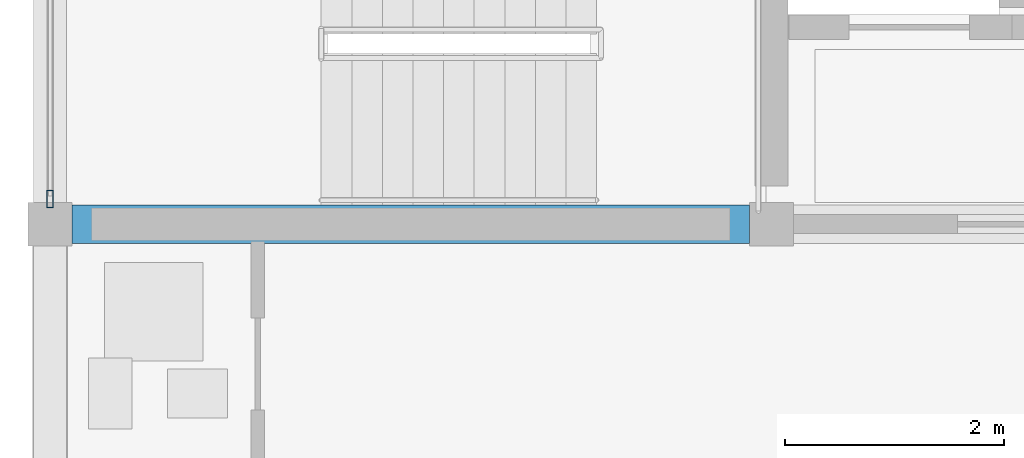
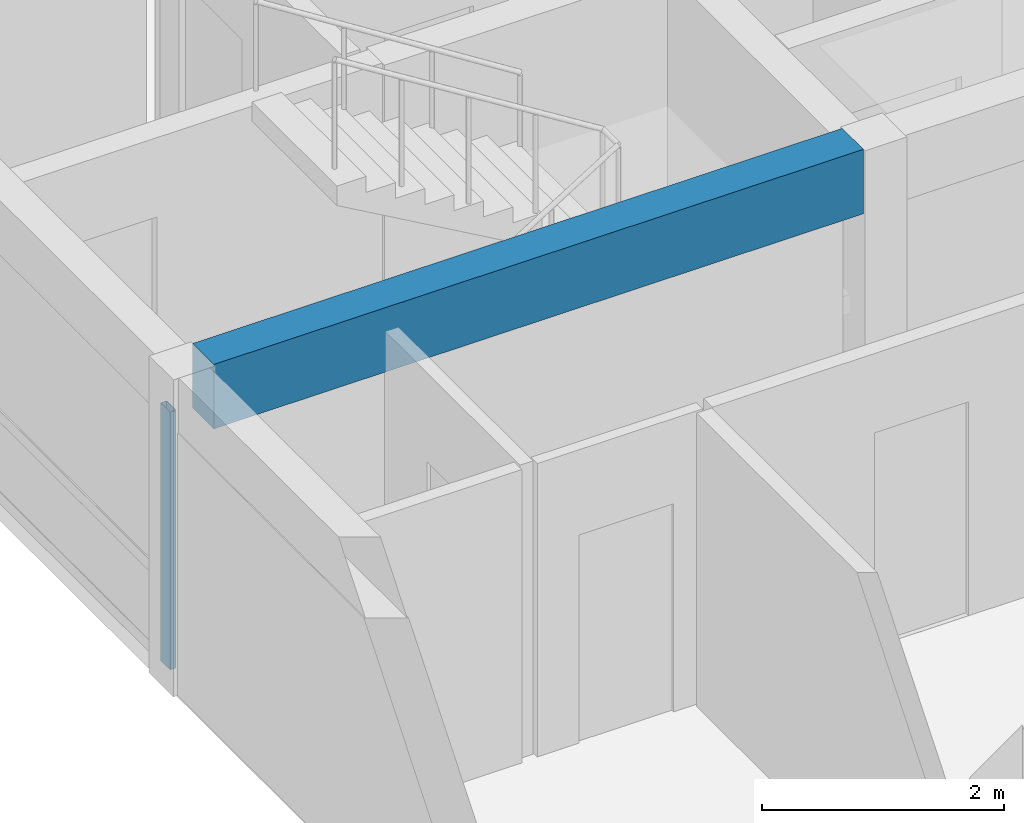
# One storey, part 4 of 53: 1 beam, 1 member, 1 element without a shape of its own.
"""IFC4 building model written with IfcOpenShell, lengths in metres."""

from ifc_helpers import new_model, si_unit, direction, frame, origin, origin_2d, place, context, subcontext, project, spatial, rectangle, hollow_rectangle, extrude, material, material_profile, profile_set, type_object, element, aggregate, save


model = new_model("IFC4")

# Units and contexts
model_context = context("Model", 3, precision=1e-05, world=origin(), true_north=direction((0.0, 1.0)))
body_context = subcontext(model_context, "Body", "Model", "MODEL_VIEW")
ifc_project = project(units=[si_unit("LENGTHUNIT", "METRE"), si_unit("AREAUNIT", "SQUARE_METRE"), si_unit("VOLUMEUNIT", "CUBIC_METRE"), si_unit("PLANEANGLEUNIT", "RADIAN"), si_unit("MASSUNIT", "GRAM", prefix="KILO")], contexts=[model_context])

# Site, building, storey
site_placement = place(None, origin())
site = spatial("IfcSite", under=ifc_project, at=site_placement, CompositionType="ELEMENT")
building_placement = place(site_placement, origin())
building = spatial("IfcBuilding", under=site, at=building_placement, Name="Kernevlak Ridge Housing Community", CompositionType="ELEMENT")
storey_placement = place(building_placement, frame((0.0, 0.0, 18.0)))
storey = spatial("IfcBuildingStorey", under=building, at=storey_placement, Name="L05", CompositionType="ELEMENT", Elevation=18.0)

# Beam
ifc_material_1 = material(Name="Concrete C35/45", Category="concrete")
ifc_material_profile_1 = material_profile(ifc_material_1, rectangle(XDim=0.35009765625, YDim=0.64990234375, at=origin_2d()), Name="RC 350x650")
ifc_profile_set_1 = profile_set([ifc_material_profile_1], Name="Concrete C35/45")
beam_type = type_object("IfcBeamType", Name="B-02", PredefinedType="BEAM", material=ifc_profile_set_1)
beam_placement = place(storey_placement, frame((15.800048828125, 22.199951171875, 2.875), z_axis=(1.0, 0.0, 0.0), x_axis=(0.0, 1.0, 0.0)))
element("IfcBeam", 1, at=beam_placement, inside=storey, type_object=beam_type, Name="Beam B-02 L05 1436", PredefinedType="BEAM", context=body_context, shape_type="SweptSolid", body=[
    extrude(rectangle(XDim=0.35009765625, YDim=0.64990234375, at=origin_2d()), origin(), (0.0, 0.0, 1.0), 6.199951171875),
])

# Curtain wall, member
ifc_material_2 = material(Name="Aluminium EN AW-6060 anodised and laminated glass", Category="aluminium")
curtain_wall_type = type_object("IfcCurtainWallType", Name="CW-10", PredefinedType="NOTDEFINED", material=ifc_material_2)
curtain_wall_placement = place(storey_placement, origin())
curtain_wall = element("IfcCurtainWall", 2, at=curtain_wall_placement, inside=storey, type_object=curtain_wall_type, Name="Curtain wall CW-10 CW-L05-154", PredefinedType="NOTDEFINED")
ifc_material_3 = material(Name="Aluminium EN AW-6060 anodised", Category="aluminium")
ifc_material_profile_2 = material_profile(ifc_material_3, hollow_rectangle(XDim=0.06005859375, YDim=0.159912109375, WallThickness=0.00390625, InnerFilletRadius=0.001953125, OuterFilletRadius=0.00390625, at=origin_2d()), Name="ALU 60x160x4")
ifc_profile_set_2 = profile_set([ifc_material_profile_2], Name="Aluminium EN AW-6060 anodised")
member_type = type_object("IfcMemberType", Name="MU-02", PredefinedType="MULLION", material=ifc_profile_set_2)
member_placement = place(storey_placement, frame((15.60009765625, 22.429931640625, 0.0), z_axis=(0.0, 0.0, 1.0), x_axis=(-1.0, 0.0, 0.0)))
member = element("IfcMember", 3, at=member_placement, type_object=member_type, Name="CW-10 mullion 1", PredefinedType="MULLION", context=body_context, shape_type="SweptSolid", body=[
    extrude(hollow_rectangle(XDim=0.06005859375, YDim=0.159912109375, WallThickness=0.00390625, InnerFilletRadius=0.001953125, OuterFilletRadius=0.00390625, at=origin_2d()), origin(), (0.0, 0.0, 1.0), 2.60009765625),
])
aggregate(curtain_wall, [member])

save(model, "model.ifc")
